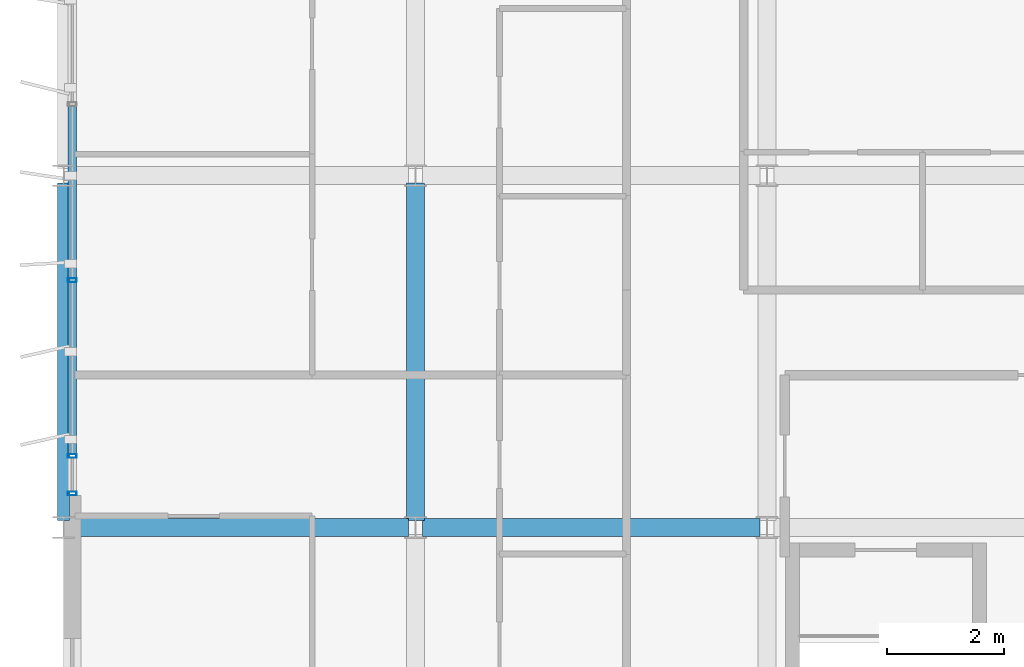
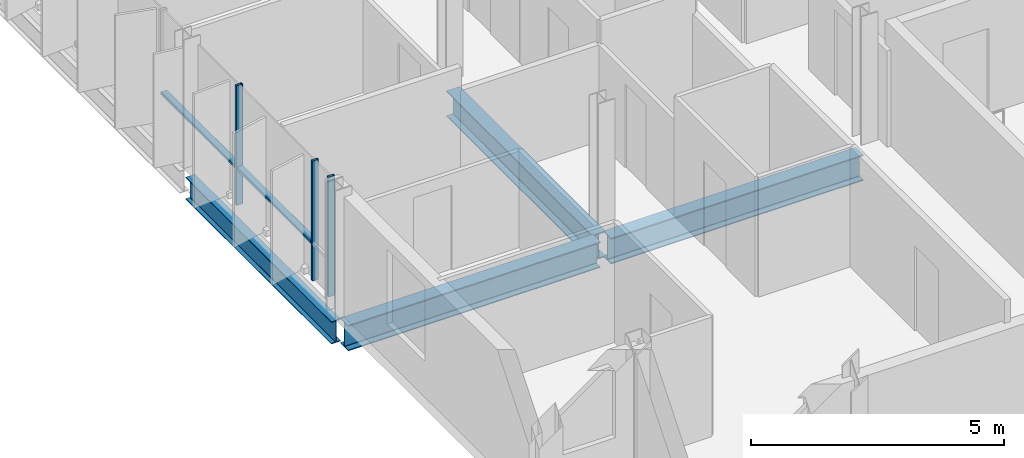
# One storey, part 4 of 35: 5 members, 4 beams, 1 element without a shape of its own.
"""IFC4 building model written with IfcOpenShell, lengths in metres."""

from ifc_helpers import new_model, si_unit, direction, frame, origin, origin_2d, place, context, subcontext, project, spatial, hollow_rectangle, i_section, extrude, material, layer, layer_set, material_profile, profile_set, type_object, element, aggregate, save


model = new_model("IFC4")

# Units and contexts
model_context = context("Model", 3, precision=1e-05, world=origin(), true_north=direction((0.0, 1.0)))
body_context = subcontext(model_context, "Body", "Model", "MODEL_VIEW")
ifc_project = project(units=[si_unit("LENGTHUNIT", "METRE"), si_unit("AREAUNIT", "SQUARE_METRE"), si_unit("VOLUMEUNIT", "CUBIC_METRE"), si_unit("PLANEANGLEUNIT", "RADIAN"), si_unit("MASSUNIT", "GRAM", prefix="KILO")], contexts=[model_context])

# Site, building, storey
site_placement = place(None, origin())
site = spatial("IfcSite", under=ifc_project, at=site_placement, CompositionType="ELEMENT")
building_placement = place(site_placement, origin())
building = spatial("IfcBuilding", under=site, at=building_placement, Name="Brevholm Reach", CompositionType="ELEMENT")
storey_placement = place(building_placement, frame((0.0, 0.0, 218.0)))
storey = spatial("IfcBuildingStorey", under=building, at=storey_placement, Name="L66", CompositionType="ELEMENT", Elevation=218.0)

# Beams
ifc_material_1 = material(Name="Structural Steel S355J2", Category="steel")
ifc_material_profile_1 = material_profile(ifc_material_1, i_section(OverallWidth=0.210693359375, OverallDepth=0.53955078125, WebThickness=0.01171875, FlangeThickness=0.018798828125, FilletRadius=0.0126953125, at=origin_2d()), Name="UKB 533x210x109")
ifc_profile_set_1 = profile_set([ifc_material_profile_1], Name="Structural Steel S355J2")
beam_type_1 = type_object("IfcBeamType", Name="BM-SP539", PredefinedType="SPANDREL", material=ifc_profile_set_1)
beam_placement = place(storey_placement, frame((0.0, 10.1201171875, -0.539794921875), z_axis=(0.0, 1.0, 0.0), x_axis=(-1.0, 0.0, 0.0)))
element("IfcBeam", 1, at=beam_placement, inside=storey, type_object=beam_type_1, Name="L66 SP-01B Framing Beam", PredefinedType="SPANDREL", context=body_context, shape_type="SweptSolid", body=[
    extrude(i_section(OverallWidth=0.210693359375, OverallDepth=0.53955078125, WebThickness=0.01171875, FlangeThickness=0.018798828125, FilletRadius=0.0126953125, at=origin_2d()), origin(), (0.0, 0.0, 1.0), 5.759765625),
])
ifc_material_2 = material(Name="Structural Steel S355J2", Category="steel")
ifc_material_profile_2 = material_profile(ifc_material_2, i_section(OverallWidth=0.30712890625, OverallDepth=0.6201171875, WebThickness=0.01416015625, FlangeThickness=0.023681640625, FilletRadius=0.0166015625, at=origin_2d()), Name="UKB 610x305x179")
ifc_profile_set_2 = profile_set([ifc_material_profile_2], Name="Structural Steel S355J2")
beam_type_2 = type_object("IfcBeamType", Name="BM-UKB610H", PredefinedType="USERDEFINED", material=ifc_profile_set_2)
for number, where, z_axis, x_axis, name in (
    (2, (0.1201171875, 10.0, -0.580078125), (1.0, 0.0, 0.0), (0.0, 1.0, 0.0), "L66 G-06 Framing Beam"),
    (3, (6.1201171875, 10.0, -0.580078125), (1.0, 0.0, 0.0), (0.0, 1.0, 0.0), "L66 G-06 Framing Beam"),
    (4, (6.0, 10.1201171875, -0.580078125), (0.0, 1.0, 0.0), (-1.0, 0.0, 0.0), "L66 G-06 Framing Beam"),
):
    element("IfcBeam", number, at=place(storey_placement, frame(where, z_axis=z_axis, x_axis=x_axis)), inside=storey, type_object=beam_type_2, Name=name, ObjectType="GIRDER", PredefinedType="USERDEFINED", context=body_context, shape_type="SweptSolid", body=[
        extrude(i_section(OverallWidth=0.30712890625, OverallDepth=0.6201171875, WebThickness=0.01416015625, FlangeThickness=0.023681640625, FilletRadius=0.0166015625, at=origin_2d()), origin(), (0.0, 0.0, 1.0), 5.759765625),
    ])

# Curtain wall, members
ifc_material_3 = material(Name="Dark Anodised Aluminium 6063-T6 and Solar-Control Glass", Category="aluminium")
ifc_layer = layer(ifc_material_3, 0.14990234375)
ifc_layer_set = layer_set([ifc_layer], Name="Dark Anodised Aluminium 6063-T6 and Solar-Control Glass")
curtain_wall_type = type_object("IfcCurtainWallType", Name="CW-01", PredefinedType="NOTDEFINED", material=ifc_layer_set)
curtain_wall_placement = place(storey_placement, origin())
curtain_wall = element("IfcCurtainWall", 5, at=curtain_wall_placement, inside=storey, type_object=curtain_wall_type, Name="L66 Curtain Wall CW-01", PredefinedType="NOTDEFINED")
ifc_material_4 = material(Name="Dark Anodised Aluminium 6063-T6", Category="aluminium")
ifc_material_profile_3 = material_profile(ifc_material_4, hollow_rectangle(XDim=0.06494140625, YDim=0.14990234375, WallThickness=0.0048828125, InnerFilletRadius=0.0048828125, OuterFilletRadius=0.010009765625, at=origin_2d()), Name="RHS 150x65x5")
ifc_profile_set_3 = profile_set([ifc_material_profile_3], Name="Dark Anodised Aluminium 6063-T6")
member_type_1 = type_object("IfcMemberType", Name="CWM-150", PredefinedType="MULLION", material=ifc_profile_set_3)
member_1_placement = place(storey_placement, frame((0.14990234375, 14.219970703125, 0.0), z_axis=(0.0, 0.0, 1.0), x_axis=(0.0, -1.0, 0.0)))
member_1 = element("IfcMember", 6, at=member_1_placement, type_object=member_type_1, Name="CM-150 Mullion 4", PredefinedType="MULLION", context=body_context, shape_type="SweptSolid", body=[
    extrude(hollow_rectangle(XDim=0.06494140625, YDim=0.14990234375, WallThickness=0.0048828125, InnerFilletRadius=0.0048828125, OuterFilletRadius=0.010009765625, at=origin_2d()), origin(), (0.0, 0.0, 1.0), 2.889892578125),
])
member_2_placement = place(storey_placement, frame((0.14990234375, 11.219970703125, 0.0), z_axis=(0.0, 0.0, 1.0), x_axis=(0.0, -1.0, 0.0)))
member_2 = element("IfcMember", 7, at=member_2_placement, type_object=member_type_1, Name="CM-150 Mullion 5", PredefinedType="MULLION", context=body_context, shape_type="SweptSolid", body=[
    extrude(hollow_rectangle(XDim=0.06494140625, YDim=0.14990234375, WallThickness=0.0048828125, InnerFilletRadius=0.0048828125, OuterFilletRadius=0.010009765625, at=origin_2d()), origin(), (0.0, 0.0, 1.0), 2.889892578125),
])
member_3_placement = place(storey_placement, frame((0.14990234375, 10.58251953125, 0.0), z_axis=(0.0, 0.0, 1.0), x_axis=(0.0, -1.0, 0.0)))
member_3 = element("IfcMember", 8, at=member_3_placement, type_object=member_type_1, Name="CM-150 Mullion 6", PredefinedType="MULLION", context=body_context, shape_type="SweptSolid", body=[
    extrude(hollow_rectangle(XDim=0.06494140625, YDim=0.14990234375, WallThickness=0.0048828125, InnerFilletRadius=0.0048828125, OuterFilletRadius=0.010009765625, at=origin_2d()), origin(), (0.0, 0.0, 1.0), 2.889892578125),
])
ifc_material_5 = material(Name="Dark Anodised Aluminium 6063-T6", Category="aluminium")
ifc_material_profile_4 = material_profile(ifc_material_5, hollow_rectangle(XDim=0.06494140625, YDim=0.14990234375, WallThickness=0.0048828125, InnerFilletRadius=0.0048828125, OuterFilletRadius=0.010009765625, at=origin_2d()), Name="RHS 150x65x5")
ifc_profile_set_4 = profile_set([ifc_material_profile_4], Name="Dark Anodised Aluminium 6063-T6")
member_type_2 = type_object("IfcMemberType", Name="CWT-150", PredefinedType="NOTDEFINED", material=ifc_profile_set_4)
member_4_placement = place(storey_placement, frame((0.14990234375, 17.1875, 0.89990234375), z_axis=(0.0, -1.0, 0.0), x_axis=(0.0, 0.0, 1.0)))
member_4 = element("IfcMember", 9, at=member_4_placement, type_object=member_type_2, Name="CT-150 Transom 3.1", ObjectType="TRANSOM", PredefinedType="USERDEFINED", context=body_context, shape_type="SweptSolid", body=[
    extrude(hollow_rectangle(XDim=0.06494140625, YDim=0.14990234375, WallThickness=0.0048828125, InnerFilletRadius=0.0048828125, OuterFilletRadius=0.010009765625, at=origin_2d()), origin(), (0.0, 0.0, 1.0), 2.93505859375),
])
member_5_placement = place(storey_placement, frame((0.14990234375, 14.1875, 0.89990234375), z_axis=(0.0, -1.0, 0.0), x_axis=(0.0, 0.0, 1.0)))
member_5 = element("IfcMember", 10, at=member_5_placement, type_object=member_type_2, Name="CT-150 Transom 4.1", ObjectType="TRANSOM", PredefinedType="USERDEFINED", context=body_context, shape_type="SweptSolid", body=[
    extrude(hollow_rectangle(XDim=0.06494140625, YDim=0.14990234375, WallThickness=0.0048828125, InnerFilletRadius=0.0048828125, OuterFilletRadius=0.010009765625, at=origin_2d()), origin(), (0.0, 0.0, 1.0), 2.93505859375),
])
aggregate(curtain_wall, [member_1, member_2, member_3, member_4, member_5])

save(model, "model.ifc")
